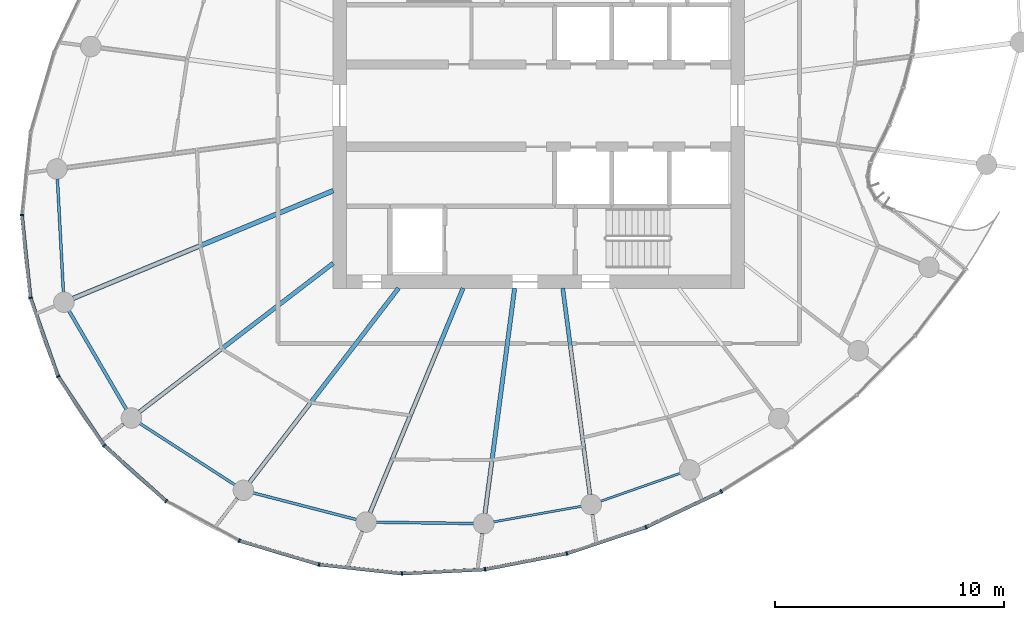
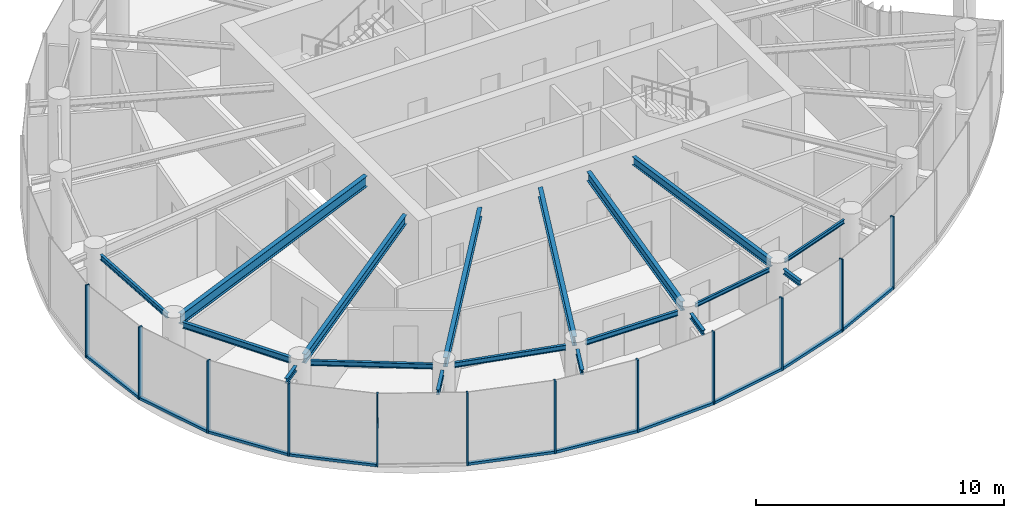
# One storey, part 2 of 17: 22 members, 18 beams, 3 elements without a shape of their own.
"""IFC4 building model written with IfcOpenShell, lengths in metres."""

import ifcopenshell
import ifcopenshell.guid

model = None  # the IFC model being written
_history = None  # IfcOwnerHistory: only IFC2X3 demands one
_inside = {}  # id of a spatial element -> (the spatial element, [elements in it])
_under = {}  # id of a project, library or spatial element -> (it, [spatial elements below it])
_declared = {}  # id of a project -> (the project, [libraries it declares])
_typed = {}  # id of a type object -> (the type object, [elements of that type])
_made_of = {}  # id of a material, layer set ... -> (it, [elements and type objects made of it])


def new_model(schema):
    """Start an empty IFC model of exactly this schema.

    Asked for "IFC4X3", IfcOpenShell would pick the latest addendum, in which some entities
    have other attributes; the version numbers below select the first issue.
    IFC2X3 requires an IfcOwnerHistory on every rooted entity: one is made here for all.
    """
    global model, _history
    if schema == "IFC4X3":
        model = ifcopenshell.file(schema_version=(4, 3, 0, 0))
    else:
        model = ifcopenshell.file(schema=schema)
    _inside.clear()
    _under.clear()
    _declared.clear()
    _typed.clear()
    _made_of.clear()
    _history = None
    if model.schema == "IFC2X3":
        org = make("IfcOrganization", Name="unknown")
        user = make(
            "IfcPersonAndOrganization",
            ThePerson=make("IfcPerson", FamilyName="unknown"),
            TheOrganization=org,
        )
        app = make(
            "IfcApplication",
            ApplicationDeveloper=org,
            Version="unknown",
            ApplicationFullName="unknown",
            ApplicationIdentifier="unknown",
        )
        _history = make(
            "IfcOwnerHistory",
            OwningUser=user,
            OwningApplication=app,
            ChangeAction="ADDED",
            CreationDate=0,
        )
    return model


def make(cls, **values):
    """One entity of the class cls with the attributes given. An attribute that is None is left unset."""
    return model.create_entity(
        cls, **{name: value for name, value in values.items() if value is not None}
    )


def rooted(cls, **values):
    """An entity with a GlobalId (a new one), such as an element, a storey or a relation."""
    return make(cls, GlobalId=ifcopenshell.guid.new(), OwnerHistory=_history, **values)


def si_unit(unit_type, name, prefix=None):
    """IfcSIUnit, for example si_unit("LENGTHUNIT", "METRE", prefix="MILLI")."""
    return make("IfcSIUnit", UnitType=unit_type, Prefix=prefix, Name=name)


def assignment(units):
    """IfcUnitAssignment: the units of a project."""
    return None if units is None else make("IfcUnitAssignment", Units=units)


def point(xyz):
    """IfcCartesianPoint."""
    return None if xyz is None else make("IfcCartesianPoint", Coordinates=xyz)


def direction(xyz):
    """IfcDirection."""
    return None if xyz is None else make("IfcDirection", DirectionRatios=xyz)


def frame(location, z_axis=None, x_axis=None):
    """IfcAxis2Placement3D, a coordinate frame: its origin and axes. An axis left out is left unset."""
    return make(
        "IfcAxis2Placement3D",
        Location=point(location),
        Axis=direction(z_axis),
        RefDirection=direction(x_axis),
    )


def frame_2d(location, x_axis=None):
    """IfcAxis2Placement2D, a coordinate frame in the plane: its origin and x axis."""
    return make(
        "IfcAxis2Placement2D", Location=point(location), RefDirection=direction(x_axis)
    )


def origin():
    """The frame at (0, 0, 0) with its axes left unset."""
    return frame((0.0, 0.0, 0.0))


def origin_2d():
    """The frame at (0, 0) in the plane with its x axis left unset."""
    return frame_2d((0.0, 0.0))


def place(relative_to, where):
    """IfcLocalPlacement: puts the frame where relative to a parent placement (None: the world)."""
    return make(
        "IfcLocalPlacement", PlacementRelTo=relative_to, RelativePlacement=where
    )


def context(
    kind, dimensions, precision=None, world=None, true_north=None, identifier=None
):
    """IfcGeometricRepresentationContext, for example the 3D "Model" context."""
    return make(
        "IfcGeometricRepresentationContext",
        ContextIdentifier=identifier,
        ContextType=kind,
        CoordinateSpaceDimension=dimensions,
        Precision=precision,
        WorldCoordinateSystem=world,
        TrueNorth=true_north,
    )


def subcontext(parent, identifier, kind, view, scale=None):
    """IfcGeometricRepresentationSubContext, for example "Body" below "Model"."""
    return make(
        "IfcGeometricRepresentationSubContext",
        ContextIdentifier=identifier,
        ContextType=kind,
        ParentContext=parent,
        TargetScale=scale,
        TargetView=view,
    )


def project(units=None, contexts=None):
    """IfcProject with its units and contexts."""
    return rooted(
        "IfcProject",
        Name="project",
        RepresentationContexts=contexts,
        UnitsInContext=assignment(units),
    )


def spatial(cls, under=None, at=None, **own):
    """A site, building, storey or space (cls), placed at a placement, below another one or the project."""
    s = rooted(cls, ObjectPlacement=at, **own)
    if under is not None:
        _under.setdefault(under.id(), (under, []))[1].append(s)
    return s


def profile(cls, at=None, kind="AREA", **sizes):
    """A parametric profile (cls). Its sizes go by their IFC names, for example OverallWidth=200.0."""
    return make(cls, ProfileType=kind, Position=at, **sizes)


def rectangle(**sizes):
    """IfcRectangleProfileDef."""
    return profile("IfcRectangleProfileDef", **sizes)


def i_section(**sizes):
    """IfcIShapeProfileDef."""
    return profile("IfcIShapeProfileDef", **sizes)


def extrude(swept, where, along, depth):
    """IfcExtrudedAreaSolid: the profile swept, set in the frame where, extruded along a direction by depth."""
    return make(
        "IfcExtrudedAreaSolid",
        SweptArea=swept,
        Position=where,
        ExtrudedDirection=direction(along),
        Depth=depth,
    )


def shape(context_of_items, identifier, shape_type, items):
    """IfcShapeRepresentation: the items that make up one representation, for example the "Body"."""
    return make(
        "IfcShapeRepresentation",
        ContextOfItems=context_of_items,
        RepresentationIdentifier=identifier,
        RepresentationType=shape_type,
        Items=items,
    )


def source(mapping_origin, context_of_items, identifier, shape_type, items):
    """IfcRepresentationMap: a shape defined once, which mapped items show again and again."""
    return make(
        "IfcRepresentationMap",
        MappingOrigin=mapping_origin,
        MappedRepresentation=shape(context_of_items, identifier, shape_type, items),
    )


def transform(
    local_origin,
    x_axis=None,
    y_axis=None,
    z_axis=None,
    scale=None,
    scale2=None,
    scale3=None,
    uniform=True,
):
    """IfcCartesianTransformationOperator3D, or its non-uniform kind. x_axis, y_axis, z_axis: its Axis1, 2, 3."""
    if uniform:
        return make(
            "IfcCartesianTransformationOperator3D",
            Axis1=direction(x_axis),
            Axis2=direction(y_axis),
            LocalOrigin=point(local_origin),
            Scale=scale,
            Axis3=direction(z_axis),
        )
    return make(
        "IfcCartesianTransformationOperator3DnonUniform",
        Axis1=direction(x_axis),
        Axis2=direction(y_axis),
        LocalOrigin=point(local_origin),
        Scale=scale,
        Axis3=direction(z_axis),
        Scale2=scale2,
        Scale3=scale3,
    )


def mapped(mapping_source, mapping_target):
    """IfcMappedItem: shows the shape of a source again, moved by a transform."""
    return make(
        "IfcMappedItem", MappingSource=mapping_source, MappingTarget=mapping_target
    )


def material(Name=None, Category=None):
    """IfcMaterial."""
    return make("IfcMaterial", Name=Name, Category=Category)


def layer(
    of_material, thickness, ventilated=None, Name=None, Category=None, Priority=None
):
    """IfcMaterialLayer: one layer of a wall or slab, of a material (None: an air gap)."""
    return make(
        "IfcMaterialLayer",
        Material=of_material,
        LayerThickness=thickness,
        IsVentilated=ventilated,
        Name=Name,
        Category=Category,
        Priority=Priority,
    )


def layer_set(layers, Name=None):
    """IfcMaterialLayerSet."""
    return make("IfcMaterialLayerSet", MaterialLayers=layers, LayerSetName=Name)


def material_profile(
    of_material, cross_section, Name=None, Category=None, Priority=None
):
    """IfcMaterialProfile: a cross section and its material."""
    return make(
        "IfcMaterialProfile",
        Name=Name,
        Material=of_material,
        Profile=cross_section,
        Priority=Priority,
        Category=Category,
    )


def profile_set(profiles, Name=None, composite=None):
    """IfcMaterialProfileSet."""
    return make(
        "IfcMaterialProfileSet",
        Name=Name,
        MaterialProfiles=profiles,
        CompositeProfile=composite,
    )


def made_of(thing, what):
    """Note that an element or type object is made of a material, layer set ...; save() writes the relation."""
    if what is not None:
        _made_of.setdefault(what.id(), (what, []))[1].append(thing)
    return thing


def type_object(cls, material=None, **own):
    """A type object (cls), such as IfcWallType, which elements share."""
    return made_of(rooted(cls, **own), material)


def element(
    cls,
    number,
    at=None,
    inside=None,
    cuts=None,
    type_object=None,
    material=None,
    context=None,
    identifier="Body",
    shape_type=None,
    held_by="IfcProductDefinitionShape",
    body=None,
    shapes=None,
    **own,
):
    """One element of the class cls, such as IfcWall. Its Tag is "e" and its number.

    at: its placement. inside: the storey or other place that contains it. cuts: it is an
    opening in that element (IfcRelVoidsElement). A single representation is given by context,
    identifier, shape_type and body (its items); several are given by shapes. held_by: the class
    of the entity that holds the representations. save() writes the other relations.
    """
    e = rooted(cls, Tag="e%d" % number, ObjectPlacement=at, **own)
    if body is not None:
        shapes = [shape(context, identifier, shape_type, body)]
    if shapes is not None:
        e.Representation = make(held_by, Representations=shapes)
    if inside is not None:
        _inside.setdefault(inside.id(), (inside, []))[1].append(e)
    if cuts is not None:
        rooted(
            "IfcRelVoidsElement", RelatingBuildingElement=cuts, RelatedOpeningElement=e
        )
    if type_object is not None:
        _typed.setdefault(type_object.id(), (type_object, []))[1].append(e)
    return made_of(e, material)


def aggregate(whole, parts):
    """IfcRelAggregates: a whole, such as a stair, and the parts it consists of."""
    return rooted("IfcRelAggregates", RelatingObject=whole, RelatedObjects=parts)


def save(model, path):
    """Write the relations noted so far, then the file.

    IfcRelAggregates (storeys below a building ...), IfcRelContainedInSpatialStructure (elements
    in a storey), IfcRelDefinesByType, IfcRelAssociatesMaterial and IfcRelDeclares: one each for
    every whole, place, type object, material and project.
    """
    for whole, parts in _under.values():
        aggregate(whole, parts)
    for where, things in _inside.values():
        rooted(
            "IfcRelContainedInSpatialStructure",
            RelatedElements=things,
            RelatingStructure=where,
        )
    for kind, things in _typed.values():
        rooted("IfcRelDefinesByType", RelatedObjects=things, RelatingType=kind)
    for what, things in _made_of.values():
        rooted("IfcRelAssociatesMaterial", RelatedObjects=things, RelatingMaterial=what)
    for by, libraries in _declared.values():
        rooted("IfcRelDeclares", RelatingContext=by, RelatedDefinitions=libraries)
    model.write(path)


model = new_model("IFC4")

# Units and contexts
model_context = context("Model", 3, precision=1e-05, world=origin(), true_north=direction((0.0, 1.0)))
body_context = subcontext(model_context, "Body", "Model", "MODEL_VIEW")
ifc_project = project(units=[si_unit("LENGTHUNIT", "METRE"), si_unit("AREAUNIT", "SQUARE_METRE"), si_unit("VOLUMEUNIT", "CUBIC_METRE"), si_unit("PLANEANGLEUNIT", "RADIAN"), si_unit("MASSUNIT", "GRAM", prefix="KILO")], contexts=[model_context])

# Site, building, storey
site_placement = place(None, origin())
site = spatial("IfcSite", under=ifc_project, at=site_placement, CompositionType="ELEMENT")
building_placement = place(site_placement, origin())
building = spatial("IfcBuilding", under=site, at=building_placement, Name="Spindrift Exchange Tower", CompositionType="ELEMENT")
storey_placement = place(building_placement, frame((0.0, 0.0, 187.699951171875)))
storey = spatial("IfcBuildingStorey", under=building, at=storey_placement, Name="L45", CompositionType="ELEMENT", Elevation=187.699951171875)

# Beams
ifc_material_1 = material(Name="Steel Grade 300", Category="steel")
ifc_material_profile_1 = material_profile(ifc_material_1, i_section(OverallWidth=0.14599609375, OverallDepth=0.251953125, WebThickness=0.006103515625, FlangeThickness=0.008544921875, FilletRadius=0.011962890625, at=origin_2d()), Name="250UB31.4")
ifc_profile_set_1 = profile_set([ifc_material_profile_1], Name="Steel Grade 300")
beam_type_1 = type_object("IfcBeamType", Name="Cantilever Beam 250UB31.4 Steel Grade 300", PredefinedType="BEAM", material=ifc_profile_set_1)
shared_shape_1 = source(origin(), body_context, "Body", "SweptSolid", [
    extrude(i_section(OverallWidth=0.14599609375, OverallDepth=0.251953125, WebThickness=0.006103515625, FlangeThickness=0.008544921875, FilletRadius=0.011962890625, at=origin_2d()), origin(), (0.0, 0.0, 1.0), 1.013427734375),
])
beam_1_placement = place(storey_placement, frame((33.856689453125, 34.078125, 3.4541015625), z_axis=(-0.793330973441, -0.608790576947, 0.0), x_axis=(0.608790576947, -0.793330973441, 0.0)))
element("IfcBeam", 1, at=beam_1_placement, inside=storey, type_object=beam_type_1, Name="L45 cantilever beam R15T", PredefinedType="BEAM", context=body_context, shape_type="MappedRepresentation", body=[
    mapped(shared_shape_1, transform((0.0, 0.0, 0.0), scale=1.0)),
])
ifc_material_profile_2 = material_profile(ifc_material_1, i_section(OverallWidth=0.208984375, OverallDepth=0.528076171875, WebThickness=0.009521484375, FlangeThickness=0.01318359375, FilletRadius=0.013916015625, at=origin_2d()), Name="530UB82.0")
ifc_profile_set_2 = profile_set([ifc_material_profile_2], Name="Steel Grade 300")
beam_type_2 = type_object("IfcBeamType", Name="Floor Beam 530UB82.0 Steel Grade 300", PredefinedType="BEAM", material=ifc_profile_set_2)
shared_shape_2 = source(origin(), body_context, "Body", "SweptSolid", [
    extrude(i_section(OverallWidth=0.208984375, OverallDepth=0.528076171875, WebThickness=0.009521484375, FlangeThickness=0.01318359375, FilletRadius=0.013916015625, at=origin_2d()), origin(), (0.0, 0.0, 1.0), 12.3115234375),
])
beam_2_placement = place(storey_placement, frame((43.0185546875, 44.27978515625, 3.316162109375), z_axis=(-0.923878099838, -0.382686891126, 0.0), x_axis=(0.382686891126, -0.923878099838, 0.0)))
element("IfcBeam", 2, at=beam_2_placement, inside=storey, type_object=beam_type_2, Name="L45 radial beam R14A", PredefinedType="BEAM", context=body_context, shape_type="MappedRepresentation", body=[
    mapped(shared_shape_2, transform((0.0, 0.0, 0.0), scale=1.0)),
])
ifc_material_profile_3 = material_profile(ifc_material_1, i_section(OverallWidth=0.18994140625, OverallDepth=0.4541015625, WebThickness=0.008544921875, FlangeThickness=0.0126953125, FilletRadius=0.013916015625, at=origin_2d()), Name="460UB67.1")
ifc_profile_set_3 = profile_set([ifc_material_profile_3], Name="Steel Grade 300")
beam_type_3 = type_object("IfcBeamType", Name="Floor Beam 460UB67.1 Steel Grade 300", PredefinedType="BEAM", material=ifc_profile_set_3)
shared_shape_3 = source(origin(), body_context, "Body", "SweptSolid", [
    extrude(i_section(OverallWidth=0.18994140625, OverallDepth=0.4541015625, WebThickness=0.008544921875, FlangeThickness=0.0126953125, FilletRadius=0.013916015625, at=origin_2d()), origin(), (0.0, 0.0, 1.0), 10.684814453125),
])
beam_3_placement = place(storey_placement, frame((43.015869140625, 41.106201171875, 3.35302734375), z_axis=(-0.793357316898, -0.608756246559, 0.0), x_axis=(0.608756246559, -0.793357316898, 0.0)))
element("IfcBeam", 3, at=beam_3_placement, inside=storey, type_object=beam_type_3, Name="L45 radial beam R15A", PredefinedType="BEAM", context=body_context, shape_type="MappedRepresentation", body=[
    mapped(shared_shape_3, transform((0.0, 0.0, 0.0), scale=1.0)),
])
shared_shape_4 = source(origin(), body_context, "Body", "SweptSolid", [
    extrude(i_section(OverallWidth=0.18994140625, OverallDepth=0.4541015625, WebThickness=0.008544921875, FlangeThickness=0.0126953125, FilletRadius=0.013916015625, at=origin_2d()), origin(), (0.0, 0.0, 1.0), 10.711181640625),
])
beam_4_placement = place(storey_placement, frame((45.87353515625, 40.015869140625, 3.35302734375), z_axis=(-0.608756401092, -0.793357198322, 0.0), x_axis=(0.793357198322, -0.608756401092, 0.0)))
element("IfcBeam", 4, at=beam_4_placement, inside=storey, type_object=beam_type_3, Name="L45 radial beam R16A", PredefinedType="BEAM", context=body_context, shape_type="MappedRepresentation", body=[
    mapped(shared_shape_4, transform((0.0, 0.0, 0.0), scale=1.0)),
])
shared_shape_5 = source(origin(), body_context, "Body", "SweptSolid", [
    extrude(i_section(OverallWidth=0.18994140625, OverallDepth=0.4541015625, WebThickness=0.008544921875, FlangeThickness=0.0126953125, FilletRadius=0.013916015625, at=origin_2d()), origin(), (0.0, 0.0, 1.0), 10.64111328125),
])
beam_5_placement = place(storey_placement, frame((48.69384765625, 40.0185546875, 3.35302734375), z_axis=(-0.382672627597, -0.923884007919, 0.0), x_axis=(0.923884007919, -0.382672627597, 0.0)))
element("IfcBeam", 5, at=beam_5_placement, inside=storey, type_object=beam_type_3, Name="L45 radial beam R17A", PredefinedType="BEAM", context=body_context, shape_type="MappedRepresentation", body=[
    mapped(shared_shape_5, transform((0.0, 0.0, 0.0), scale=1.0)),
])
shared_shape_6 = source(origin(), body_context, "Body", "SweptSolid", [
    extrude(i_section(OverallWidth=0.18994140625, OverallDepth=0.4541015625, WebThickness=0.008544921875, FlangeThickness=0.0126953125, FilletRadius=0.013916015625, at=origin_2d()), origin(), (0.0, 0.0, 1.0), 9.95703125),
])
beam_6_placement = place(storey_placement, frame((50.949462890625, 40.019775390625, 3.35302734375), z_axis=(-0.130541406635, -0.991442858239, 0.0), x_axis=(0.991442858239, -0.130541406635, 0.0)))
element("IfcBeam", 6, at=beam_6_placement, inside=storey, type_object=beam_type_3, Name="L45 radial beam R18A", PredefinedType="BEAM", context=body_context, shape_type="MappedRepresentation", body=[
    mapped(shared_shape_6, transform((0.0, 0.0, 0.0), scale=1.0)),
])
ifc_material_profile_4 = material_profile(ifc_material_1, i_section(OverallWidth=0.177978515625, OverallDepth=0.403076171875, WebThickness=0.007568359375, FlangeThickness=0.010986328125, FilletRadius=0.013916015625, at=origin_2d()), Name="410UB53.7")
ifc_profile_set_4 = profile_set([ifc_material_profile_4], Name="Steel Grade 300")
beam_type_4 = type_object("IfcBeamType", Name="Floor Beam 410UB53.7 Steel Grade 300", PredefinedType="BEAM", material=ifc_profile_set_4)
shared_shape_7 = source(origin(), body_context, "Body", "SweptSolid", [
    extrude(i_section(OverallWidth=0.177978515625, OverallDepth=0.403076171875, WebThickness=0.007568359375, FlangeThickness=0.010986328125, FilletRadius=0.013916015625, at=origin_2d()), origin(), (0.0, 0.0, 1.0), 9.11376953125),
])
beam_7_placement = place(storey_placement, frame((53.050537109375, 40.019775390625, 3.378662109375), z_axis=(0.130536972606, -0.991443442049, 0.0), x_axis=(0.991443442049, 0.130536972606, 0.0)))
element("IfcBeam", 7, at=beam_7_placement, inside=storey, type_object=beam_type_4, Name="L45 radial beam R19A", PredefinedType="BEAM", context=body_context, shape_type="MappedRepresentation", body=[
    mapped(shared_shape_7, transform((0.0, 0.0, 0.0), scale=1.0)),
])
ifc_material_profile_5 = material_profile(ifc_material_1, i_section(OverallWidth=0.1240234375, OverallDepth=0.248046875, WebThickness=0.0048828125, FlangeThickness=0.008056640625, FilletRadius=0.011962890625, at=origin_2d()), Name="250UB25.7")
ifc_profile_set_5 = profile_set([ifc_material_profile_5], Name="Steel Grade 300")
beam_type_5 = type_object("IfcBeamType", Name="Edge Beam 250UB25.7 Steel Grade 300", PredefinedType="SPANDREL", material=ifc_profile_set_5)
shared_shape_8 = source(origin(), body_context, "Body", "SweptSolid", [
    extrude(i_section(OverallWidth=0.1240234375, OverallDepth=0.248046875, WebThickness=0.0048828125, FlangeThickness=0.008056640625, FilletRadius=0.011962890625, at=origin_2d()), origin(), (0.0, 0.0, 1.0), 4.971435546875),
])
beam_8_placement = place(storey_placement, frame((30.96044921875, 44.797607421875, 3.4560546875), z_axis=(0.053038255124, -0.998592481192, 0.0), x_axis=(0.998592481192, 0.053038255124, 0.0)))
element("IfcBeam", 8, at=beam_8_placement, inside=storey, type_object=beam_type_5, Name="L45 edge beam E13", PredefinedType="SPANDREL", context=body_context, shape_type="MappedRepresentation", body=[
    mapped(shared_shape_8, transform((0.0, 0.0, 0.0), scale=1.0)),
])
ifc_material_profile_6 = material_profile(ifc_material_1, i_section(OverallWidth=0.14892578125, OverallDepth=0.298095703125, WebThickness=0.005615234375, FlangeThickness=0.008056640625, FilletRadius=0.012939453125, at=origin_2d()), Name="310UB32.0")
ifc_profile_set_6 = profile_set([ifc_material_profile_6], Name="Steel Grade 300")
beam_type_6 = type_object("IfcBeamType", Name="Edge Beam 310UB32.0 Steel Grade 300", PredefinedType="SPANDREL", material=ifc_profile_set_6)
shared_shape_9 = source(origin(), body_context, "Body", "SweptSolid", [
    extrude(i_section(OverallWidth=0.14892578125, OverallDepth=0.298095703125, WebThickness=0.005615234375, FlangeThickness=0.008056640625, FilletRadius=0.012939453125, at=origin_2d()), origin(), (0.0, 0.0, 1.0), 5.0009765625),
])
beam_9_placement = place(storey_placement, frame((31.46337890625, 39.0322265625, 3.43115234375), z_axis=(0.503512812094, -0.863987759205, 0.0), x_axis=(0.863987759205, 0.503512812094, 0.0)))
element("IfcBeam", 9, at=beam_9_placement, inside=storey, type_object=beam_type_6, Name="L45 edge beam E14", PredefinedType="SPANDREL", context=body_context, shape_type="MappedRepresentation", body=[
    mapped(shared_shape_9, transform((0.0, 0.0, 0.0), scale=1.0)),
])
shared_shape_10 = source(origin(), body_context, "Body", "SweptSolid", [
    extrude(i_section(OverallWidth=0.1240234375, OverallDepth=0.248046875, WebThickness=0.0048828125, FlangeThickness=0.008056640625, FilletRadius=0.011962890625, at=origin_2d()), origin(), (0.0, 0.0, 1.0), 4.966552734375),
])
beam_10_placement = place(storey_placement, frame((34.55908203125, 34.106689453125, 3.4560546875), z_axis=(0.839802198579, -0.54289250065, 0.0), x_axis=(0.54289250065, 0.839802198579, 0.0)))
element("IfcBeam", 10, at=beam_10_placement, inside=storey, type_object=beam_type_5, Name="L45 edge beam E15", PredefinedType="SPANDREL", context=body_context, shape_type="MappedRepresentation", body=[
    mapped(shared_shape_10, transform((0.0, 0.0, 0.0), scale=1.0)),
])
shared_shape_11 = source(origin(), body_context, "Body", "SweptSolid", [
    extrude(i_section(OverallWidth=0.1240234375, OverallDepth=0.248046875, WebThickness=0.0048828125, FlangeThickness=0.008056640625, FilletRadius=0.011962890625, at=origin_2d()), origin(), (0.0, 0.0, 1.0), 4.682373046875),
])
beam_11_placement = place(storey_placement, frame((39.507568359375, 31.0693359375, 3.4560546875), z_axis=(0.968201586176, -0.250171318352, 0.0), x_axis=(0.250171318352, 0.968201586176, 0.0)))
element("IfcBeam", 11, at=beam_11_placement, inside=storey, type_object=beam_type_5, Name="L45 edge beam E16", PredefinedType="SPANDREL", context=body_context, shape_type="MappedRepresentation", body=[
    mapped(shared_shape_11, transform((0.0, 0.0, 0.0), scale=1.0)),
])
shared_shape_12 = source(origin(), body_context, "Body", "SweptSolid", [
    extrude(i_section(OverallWidth=0.1240234375, OverallDepth=0.248046875, WebThickness=0.0048828125, FlangeThickness=0.008056640625, FilletRadius=0.011962890625, at=origin_2d()), origin(), (0.0, 0.0, 1.0), 4.27685546875),
])
beam_12_placement = place(storey_placement, frame((44.88720703125, 29.78466796875, 3.4560546875), z_axis=(0.999910013527, -0.013415097807, 0.0), x_axis=(0.013415097807, 0.999910013527, 0.0)))
element("IfcBeam", 12, at=beam_12_placement, inside=storey, type_object=beam_type_5, Name="L45 edge beam E17", PredefinedType="SPANDREL", context=body_context, shape_type="MappedRepresentation", body=[
    mapped(shared_shape_12, transform((0.0, 0.0, 0.0), scale=1.0)),
])
ifc_material_profile_7 = material_profile(ifc_material_1, i_section(OverallWidth=0.09912109375, OverallDepth=0.197998046875, WebThickness=0.00439453125, FlangeThickness=0.007080078125, FilletRadius=0.010986328125, at=origin_2d()), Name="200UB18.2")
ifc_profile_set_7 = profile_set([ifc_material_profile_7], Name="Steel Grade 300")
beam_type_7 = type_object("IfcBeamType", Name="Edge Beam 200UB18.2 Steel Grade 300", PredefinedType="SPANDREL", material=ifc_profile_set_7)
shared_shape_13 = source(origin(), body_context, "Body", "SweptSolid", [
    extrude(i_section(OverallWidth=0.09912109375, OverallDepth=0.197998046875, WebThickness=0.00439453125, FlangeThickness=0.007080078125, FilletRadius=0.010986328125, at=origin_2d()), origin(), (0.0, 0.0, 1.0), 3.916259765625),
])
beam_13_placement = place(storey_placement, frame((50.01708984375, 29.796875, 3.48095703125), z_axis=(0.984558687682, 0.175054821441, 0.0), x_axis=(-0.175054821441, 0.984558687682, 0.0)))
element("IfcBeam", 13, at=beam_13_placement, inside=storey, type_object=beam_type_7, Name="L45 edge beam E18", PredefinedType="SPANDREL", context=body_context, shape_type="MappedRepresentation", body=[
    mapped(shared_shape_13, transform((0.0, 0.0, 0.0), scale=1.0)),
])
shared_shape_14 = source(origin(), body_context, "Body", "SweptSolid", [
    extrude(i_section(OverallWidth=0.09912109375, OverallDepth=0.197998046875, WebThickness=0.00439453125, FlangeThickness=0.007080078125, FilletRadius=0.010986328125, at=origin_2d()), origin(), (0.0, 0.0, 1.0), 3.700439453125),
])
beam_14_placement = place(storey_placement, frame((54.701904296875, 30.699951171875, 3.48095703125), z_axis=(0.943515334916, 0.331328858957, 0.0), x_axis=(-0.331328858957, 0.943515334916, 0.0)))
element("IfcBeam", 14, at=beam_14_placement, inside=storey, type_object=beam_type_7, Name="L45 edge beam E19", PredefinedType="SPANDREL", context=body_context, shape_type="MappedRepresentation", body=[
    mapped(shared_shape_14, transform((0.0, 0.0, 0.0), scale=1.0)),
])
shared_shape_15 = source(origin(), body_context, "Body", "SweptSolid", [
    extrude(i_section(OverallWidth=0.14599609375, OverallDepth=0.251953125, WebThickness=0.006103515625, FlangeThickness=0.008544921875, FilletRadius=0.011962890625, at=origin_2d()), origin(), (0.0, 0.0, 1.0), 1.43017578125),
])
beam_15_placement = place(storey_placement, frame((38.829345703125, 30.835693359375, 3.4541015625), z_axis=(-0.60878630257, -0.793334253517, 0.0), x_axis=(0.793334253517, -0.60878630257, 0.0)))
element("IfcBeam", 15, at=beam_15_placement, inside=storey, type_object=beam_type_1, Name="L45 cantilever beam R16T", PredefinedType="BEAM", context=body_context, shape_type="MappedRepresentation", body=[
    mapped(shared_shape_15, transform((0.0, 0.0, 0.0), scale=1.0)),
])
shared_shape_16 = source(origin(), body_context, "Body", "SweptSolid", [
    extrude(i_section(OverallWidth=0.14599609375, OverallDepth=0.251953125, WebThickness=0.006103515625, FlangeThickness=0.008544921875, FilletRadius=0.011962890625, at=origin_2d()), origin(), (0.0, 0.0, 1.0), 1.5087890625),
])
beam_16_placement = place(storey_placement, frame((44.292724609375, 29.39306640625, 3.4541015625), z_axis=(-0.382661412392, -0.923888653175, 0.0), x_axis=(0.923888653175, -0.382661412392, 0.0)))
element("IfcBeam", 16, at=beam_16_placement, inside=storey, type_object=beam_type_1, Name="L45 cantilever beam R17T", PredefinedType="BEAM", context=body_context, shape_type="MappedRepresentation", body=[
    mapped(shared_shape_16, transform((0.0, 0.0, 0.0), scale=1.0)),
])
shared_shape_17 = source(origin(), body_context, "Body", "SweptSolid", [
    extrude(i_section(OverallWidth=0.14599609375, OverallDepth=0.251953125, WebThickness=0.006103515625, FlangeThickness=0.008544921875, FilletRadius=0.011962890625, at=origin_2d()), origin(), (0.0, 0.0, 1.0), 1.345703125),
])
beam_17_placement = place(storey_placement, frame((49.53759765625, 29.29541015625, 3.4541015625), z_axis=(-0.130618759846, -0.991432670218, 0.0), x_axis=(0.991432670218, -0.130618759846, 0.0)))
element("IfcBeam", 17, at=beam_17_placement, inside=storey, type_object=beam_type_1, Name="L45 cantilever beam R18T", PredefinedType="BEAM", context=body_context, shape_type="MappedRepresentation", body=[
    mapped(shared_shape_17, transform((0.0, 0.0, 0.0), scale=1.0)),
])
shared_shape_18 = source(origin(), body_context, "Body", "SweptSolid", [
    extrude(i_section(OverallWidth=0.14599609375, OverallDepth=0.251953125, WebThickness=0.006103515625, FlangeThickness=0.008544921875, FilletRadius=0.011962890625, at=origin_2d()), origin(), (0.0, 0.0, 1.0), 1.087158203125),
])
beam_18_placement = place(storey_placement, frame((54.3525390625, 30.131103515625, 3.4541015625), z_axis=(0.130471939608, -0.991452002356, 0.0), x_axis=(0.991452002356, 0.130471939608, 0.0)))
element("IfcBeam", 18, at=beam_18_placement, inside=storey, type_object=beam_type_1, Name="L45 cantilever beam R19T", PredefinedType="BEAM", context=body_context, shape_type="MappedRepresentation", body=[
    mapped(shared_shape_18, transform((0.0, 0.0, 0.0), scale=1.0)),
])

# Curtain wall, members
ifc_material_2 = material(Name="Fritted laminated glass with bronze frame", Category="glass")
ifc_layer = layer(ifc_material_2, 0.169921875)
ifc_layer_set = layer_set([ifc_layer], Name="ZONE 4 BRONZE FRITTED WALL")
curtain_wall_type = type_object("IfcCurtainWallType", Name="ZONE 4 BRONZE FRITTED WALL", PredefinedType="NOTDEFINED", material=ifc_layer_set)
curtain_wall_1_placement = place(storey_placement, origin())
curtain_wall_1 = element("IfcCurtainWall", 19, at=curtain_wall_1_placement, inside=storey, type_object=curtain_wall_type, Name="L45 Zone 4 Bronze Fritted Wall run 4", PredefinedType="NOTDEFINED")
ifc_material_3 = material(Name="Bronze anodised aluminium", Category="aluminium")
ifc_material_profile_8 = material_profile(ifc_material_3, rectangle(XDim=0.14990234375, YDim=0.125, at=origin_2d()), Name="ZONE 4 BRONZE FRITTED WALL TRANSOM 150X125")
ifc_profile_set_8 = profile_set([ifc_material_profile_8], Name="Bronze anodised aluminium")
member_type_1 = type_object("IfcMemberType", Name="ZONE 4 BRONZE FRITTED WALL TRANSOM 150X125", PredefinedType="USERDEFINED", material=ifc_profile_set_8)
shared_shape_19 = source(origin(), body_context, "Body", "SweptSolid", [
    extrude(rectangle(XDim=0.14990234375, YDim=0.125, at=origin_2d()), origin(), (0.0, 0.0, 1.0), 3.57763671875),
])
member_1_placement = place(storey_placement, frame((53.263427734375, 28.427734375, 0.0625), z_axis=(0.948955907635, 0.315408759175, 0.0), x_axis=(-0.315408759175, 0.948955907635, 0.0)))
member_1 = element("IfcMember", 20, at=member_1_placement, type_object=member_type_1, Name="L45 transom CW-4.20", ObjectType="TRANSOM", PredefinedType="USERDEFINED", context=body_context, shape_type="MappedRepresentation", body=[
    mapped(shared_shape_19, transform((0.0, 0.0, 0.0), scale=1.0)),
])
member_2_placement = place(storey_placement, frame((56.71875, 29.580322265625, 0.0625), z_axis=(0.903750343749, 0.428059944604, 0.0), x_axis=(-0.428059944604, 0.903750343749, 0.0)))
member_2 = element("IfcMember", 21, at=member_2_placement, type_object=member_type_1, Name="L45 transom CW-4.21", ObjectType="TRANSOM", PredefinedType="USERDEFINED", context=body_context, shape_type="MappedRepresentation", body=[
    mapped(shared_shape_19, transform((0.0, 0.0, 0.0), scale=1.0)),
])

# Curtain wall, member
curtain_wall_2_placement = place(storey_placement, origin())
curtain_wall_2 = element("IfcCurtainWall", 22, at=curtain_wall_2_placement, inside=storey, type_object=curtain_wall_type, Name="L45 Zone 4 Bronze Fritted Wall run 3", PredefinedType="NOTDEFINED")
shared_shape_20 = source(origin(), body_context, "Body", "SweptSolid", [
    extrude(rectangle(XDim=0.14990234375, YDim=0.125, at=origin_2d()), origin(), (0.0, 0.0, 1.0), 3.575439453125),
])
member_3_placement = place(storey_placement, frame((42.433349609375, 27.932373046875, 0.0625), z_axis=(0.99411876146, -0.108295374385, 0.0), x_axis=(0.108295374385, 0.99411876146, 0.0)))
member_3 = element("IfcMember", 23, at=member_3_placement, type_object=member_type_1, Name="L45 transom CW-4.17", ObjectType="TRANSOM", PredefinedType="USERDEFINED", context=body_context, shape_type="MappedRepresentation", body=[
    mapped(shared_shape_20, transform((0.0, 0.0, 0.0), scale=1.0)),
])

curtain_wall_3_placement = place(storey_placement, origin())
curtain_wall_3 = element("IfcCurtainWall", 24, at=curtain_wall_3_placement, inside=storey, type_object=curtain_wall_type, Name="L45 Zone 4 Bronze Fritted Wall run 2", PredefinedType="NOTDEFINED")
shared_shape_21 = source(origin(), body_context, "Body", "SweptSolid", [
    extrude(rectangle(XDim=0.14990234375, YDim=0.125, at=origin_2d()), origin(), (0.0, 0.0, 1.0), 3.57080078125),
])
member_4_placement = place(storey_placement, frame((29.798828125, 39.56201171875, 0.0625), z_axis=(0.331263931357, -0.943538132659, 0.0), x_axis=(0.943538132659, 0.331263931357, 0.0)))
member_4 = element("IfcMember", 25, at=member_4_placement, type_object=member_type_1, Name="L45 transom CW-4.12", ObjectType="TRANSOM", PredefinedType="USERDEFINED", context=body_context, shape_type="MappedRepresentation", body=[
    mapped(shared_shape_21, transform((0.0, 0.0, 0.0), scale=1.0)),
])

# Member
member_5_placement = place(storey_placement, frame((33.034912109375, 33.1171875, 0.0625), z_axis=(0.744292825726, -0.667853419226, 0.0), x_axis=(0.667853419226, 0.744292825726, 0.0)))
member_5 = element("IfcMember", 26, at=member_5_placement, type_object=member_type_1, Name="L45 transom CW-4.14", ObjectType="TRANSOM", PredefinedType="USERDEFINED", context=body_context, shape_type="MappedRepresentation", body=[
    mapped(shared_shape_21, transform((0.0, 0.0, 0.0), scale=1.0)),
])

shared_shape_22 = source(origin(), body_context, "Body", "SweptSolid", [
    extrude(rectangle(XDim=0.14990234375, YDim=0.125, at=origin_2d()), origin(), (0.0, 0.0, 1.0), 3.572509765625),
])
member_6_placement = place(storey_placement, frame((29.41455078125, 43.17822265625, 0.0625), z_axis=(0.103603267329, -0.994618702317, 0.0), x_axis=(0.994618702317, 0.103603267329, 0.0)))
member_6 = element("IfcMember", 27, at=member_6_placement, type_object=member_type_1, Name="L45 transom CW-4.11", ObjectType="TRANSOM", PredefinedType="USERDEFINED", context=body_context, shape_type="MappedRepresentation", body=[
    mapped(shared_shape_22, transform((0.0, 0.0, 0.0), scale=1.0)),
])

ifc_material_profile_9 = material_profile(ifc_material_3, rectangle(XDim=0.06494140625, YDim=0.169921875, at=origin_2d()), Name="ZONE 4 BRONZE FRITTED WALL MULLION 65X170")
ifc_profile_set_9 = profile_set([ifc_material_profile_9], Name="Bronze anodised aluminium")
member_type_2 = type_object("IfcMemberType", Name="ZONE 4 BRONZE FRITTED WALL MULLION 65X170", PredefinedType="MULLION", material=ifc_profile_set_9)
shared_shape_23 = source(origin(), body_context, "Body", "SweptSolid", [
    extrude(rectangle(XDim=0.06494140625, YDim=0.169921875, at=origin_2d()), origin(), (0.0, 0.0, 1.0), 3.580078125),
])
member_7_placement = place(storey_placement, frame((29.4111328125, 43.21044921875, 0.0), z_axis=(0.0, 0.0, 1.0), x_axis=(-7.2880761e-05, -0.999999997344, 0.0)))
member_7 = element("IfcMember", 28, at=member_7_placement, type_object=member_type_2, Name="L45 mullion CW-4.11", PredefinedType="MULLION", context=body_context, shape_type="MappedRepresentation", body=[
    mapped(shared_shape_23, transform((0.0, 0.0, 0.0), scale=1.0)),
])

member_8_placement = place(storey_placement, frame((29.7880859375, 39.592529296875, 0.0), z_axis=(0.0, 0.0, 1.0), x_axis=(0.218951203919, -0.975735809685, 0.0)))
member_8 = element("IfcMember", 29, at=member_8_placement, type_object=member_type_2, Name="L45 mullion CW-4.12", PredefinedType="MULLION", context=body_context, shape_type="MappedRepresentation", body=[
    mapped(shared_shape_23, transform((0.0, 0.0, 0.0), scale=1.0)),
])

aggregate(curtain_wall_3, [member_7, member_6, member_8, member_4])

member_9_placement = place(storey_placement, frame((30.992431640625, 36.162109375, 0.0), z_axis=(0.0, 0.0, 1.0), x_axis=(0.446746879519, -0.894660396821, 0.0)))
member_9 = element("IfcMember", 30, at=member_9_placement, type_object=member_type_2, Name="L45 mullion CW-4.13", PredefinedType="MULLION", context=body_context, shape_type="MappedRepresentation", body=[
    mapped(shared_shape_23, transform((0.0, 0.0, 0.0), scale=1.0)),
])

member_10_placement = place(storey_placement, frame((33.010498046875, 33.138916015625, 0.0), z_axis=(0.0, 0.0, 1.0), x_axis=(0.654901945751, -0.755713862154, 0.0)))
member_10 = element("IfcMember", 31, at=member_10_placement, type_object=member_type_2, Name="L45 mullion CW-4.14", PredefinedType="MULLION", context=body_context, shape_type="MappedRepresentation", body=[
    mapped(shared_shape_23, transform((0.0, 0.0, 0.0), scale=1.0)),
])

member_11_placement = place(storey_placement, frame((35.716796875, 30.710693359375, 0.0), z_axis=(0.0, 0.0, 1.0), x_axis=(0.817157457162, -0.576414512486, 0.0)))
member_11 = element("IfcMember", 32, at=member_11_placement, type_object=member_type_2, Name="L45 mullion CW-4.15", PredefinedType="MULLION", context=body_context, shape_type="MappedRepresentation", body=[
    mapped(shared_shape_23, transform((0.0, 0.0, 0.0), scale=1.0)),
])

member_12_placement = place(storey_placement, frame((38.91357421875, 28.97509765625, 0.0), z_axis=(0.0, 0.0, 1.0), x_axis=(0.923563388443, -0.383445781732, 0.0)))
member_12 = element("IfcMember", 33, at=member_12_placement, type_object=member_type_2, Name="L45 mullion CW-4.16", PredefinedType="MULLION", context=body_context, shape_type="MappedRepresentation", body=[
    mapped(shared_shape_23, transform((0.0, 0.0, 0.0), scale=1.0)),
])

member_13_placement = place(storey_placement, frame((42.401123046875, 27.935791015625, 0.0), z_axis=(0.0, 0.0, 1.0), x_axis=(0.980250877856, -0.19775797446, 0.0)))
member_13 = element("IfcMember", 34, at=member_13_placement, type_object=member_type_2, Name="L45 mullion CW-4.17", PredefinedType="MULLION", context=body_context, shape_type="MappedRepresentation", body=[
    mapped(shared_shape_23, transform((0.0, 0.0, 0.0), scale=1.0)),
])

member_14_placement = place(storey_placement, frame((46.020263671875, 27.54150390625, 0.0), z_axis=(0.0, 0.0, 1.0), x_axis=(0.99957392696, -0.02918843166, 0.0)))
member_14 = element("IfcMember", 35, at=member_14_placement, type_object=member_type_2, Name="L45 mullion CW-4.18", PredefinedType="MULLION", context=body_context, shape_type="MappedRepresentation", body=[
    mapped(shared_shape_23, transform((0.0, 0.0, 0.0), scale=1.0)),
])

member_15_placement = place(storey_placement, frame((49.6572265625, 27.72412109375, 0.0), z_axis=(0.0, 0.0, 1.0), x_axis=(0.99270553918, 0.120564142602, 0.0)))
member_15 = element("IfcMember", 36, at=member_15_placement, type_object=member_type_2, Name="L45 mullion CW-4.19", PredefinedType="MULLION", context=body_context, shape_type="MappedRepresentation", body=[
    mapped(shared_shape_23, transform((0.0, 0.0, 0.0), scale=1.0)),
])

member_16_placement = place(storey_placement, frame((53.232666015625, 28.41748046875, 0.0), z_axis=(0.0, 0.0, 1.0), x_axis=(0.967347468334, 0.253453892273, 0.0)))
member_16 = element("IfcMember", 37, at=member_16_placement, type_object=member_type_2, Name="L45 mullion CW-4.20", PredefinedType="MULLION", context=body_context, shape_type="MappedRepresentation", body=[
    mapped(shared_shape_23, transform((0.0, 0.0, 0.0), scale=1.0)),
])

member_17_placement = place(storey_placement, frame((56.689208984375, 29.56640625, 0.0), z_axis=(0.0, 0.0, 1.0), x_axis=(0.928069970977, 0.372405865919, 0.0)))
member_17 = element("IfcMember", 38, at=member_17_placement, type_object=member_type_2, Name="L45 mullion CW-4.21", PredefinedType="MULLION", context=body_context, shape_type="MappedRepresentation", body=[
    mapped(shared_shape_23, transform((0.0, 0.0, 0.0), scale=1.0)),
])

member_18_placement = place(storey_placement, frame((59.9814453125, 31.125732421875, 0.0), z_axis=(0.0, 0.0, 1.0), x_axis=(0.877135669907, 0.480242664262, 0.0)))
member_18 = element("IfcMember", 39, at=member_18_placement, type_object=member_type_2, Name="L45 mullion CW-4.22", PredefinedType="MULLION", context=body_context, shape_type="MappedRepresentation", body=[
    mapped(shared_shape_23, transform((0.0, 0.0, 0.0), scale=1.0)),
])

shared_shape_24 = source(origin(), body_context, "Body", "SweptSolid", [
    extrude(rectangle(XDim=0.14990234375, YDim=0.125, at=origin_2d()), origin(), (0.0, 0.0, 1.0), 3.576904296875),
])
member_19_placement = place(storey_placement, frame((49.689208984375, 27.730224609375, 0.0625), z_axis=(0.981700900539, 0.190429361921, 0.0), x_axis=(-0.190429361921, 0.981700900539, 0.0)))
member_19 = element("IfcMember", 40, at=member_19_placement, type_object=member_type_1, Name="L45 transom CW-4.19", ObjectType="TRANSOM", PredefinedType="USERDEFINED", context=body_context, shape_type="MappedRepresentation", body=[
    mapped(shared_shape_24, transform((0.0, 0.0, 0.0), scale=1.0)),
])

aggregate(curtain_wall_1, [member_15, member_19, member_16, member_1, member_17, member_2, member_18])

shared_shape_25 = source(origin(), body_context, "Body", "SweptSolid", [
    extrude(rectangle(XDim=0.14990234375, YDim=0.125, at=origin_2d()), origin(), (0.0, 0.0, 1.0), 3.5703125),
])
member_20_placement = place(storey_placement, frame((31.010498046875, 36.13525390625, 0.0625), z_axis=(0.555189290991, -0.831724023441, 0.0), x_axis=(0.831724023441, 0.555189290991, 0.0)))
member_20 = element("IfcMember", 41, at=member_20_placement, type_object=member_type_1, Name="L45 transom CW-4.13", ObjectType="TRANSOM", PredefinedType="USERDEFINED", context=body_context, shape_type="MappedRepresentation", body=[
    mapped(shared_shape_25, transform((0.0, 0.0, 0.0), scale=1.0)),
])

shared_shape_26 = source(origin(), body_context, "Body", "SweptSolid", [
    extrude(rectangle(XDim=0.14990234375, YDim=0.125, at=origin_2d()), origin(), (0.0, 0.0, 1.0), 3.57421875),
])
member_21_placement = place(storey_placement, frame((38.944580078125, 28.9658203125, 0.0625), z_axis=(0.958351082678, -0.285592721074, 0.0), x_axis=(0.285592721074, 0.958351082678, 0.0)))
member_21 = element("IfcMember", 42, at=member_21_placement, type_object=member_type_1, Name="L45 transom CW-4.16", ObjectType="TRANSOM", PredefinedType="USERDEFINED", context=body_context, shape_type="MappedRepresentation", body=[
    mapped(shared_shape_26, transform((0.0, 0.0, 0.0), scale=1.0)),
])

shared_shape_27 = source(origin(), body_context, "Body", "SweptSolid", [
    extrude(rectangle(XDim=0.14990234375, YDim=0.125, at=origin_2d()), origin(), (0.0, 0.0, 1.0), 3.576416015625),
])
member_22_placement = place(storey_placement, frame((46.052734375, 27.543212890625, 0.0625), z_axis=(0.998743983681, 0.05010444153, 0.0), x_axis=(-0.05010444153, 0.998743983681, 0.0)))
member_22 = element("IfcMember", 43, at=member_22_placement, type_object=member_type_1, Name="L45 transom CW-4.18", ObjectType="TRANSOM", PredefinedType="USERDEFINED", context=body_context, shape_type="MappedRepresentation", body=[
    mapped(shared_shape_27, transform((0.0, 0.0, 0.0), scale=1.0)),
])

aggregate(curtain_wall_2, [member_9, member_20, member_10, member_5, member_11, member_12, member_21, member_13, member_3, member_14, member_22])

save(model, "model.ifc")
